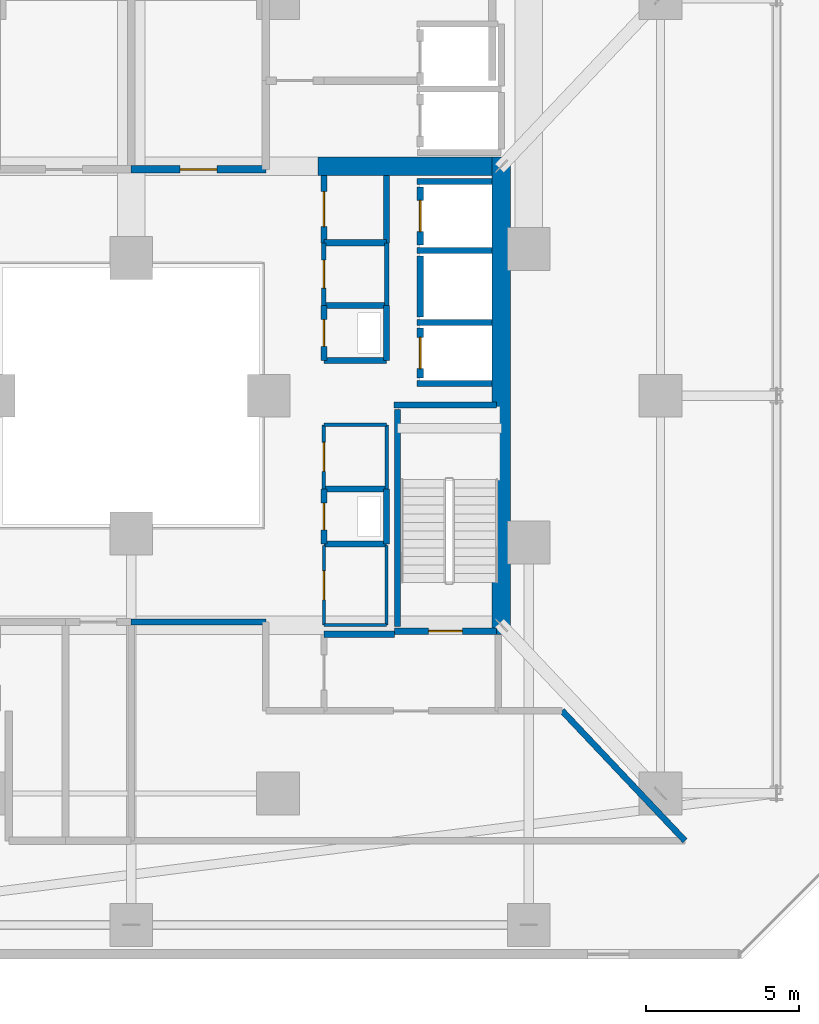
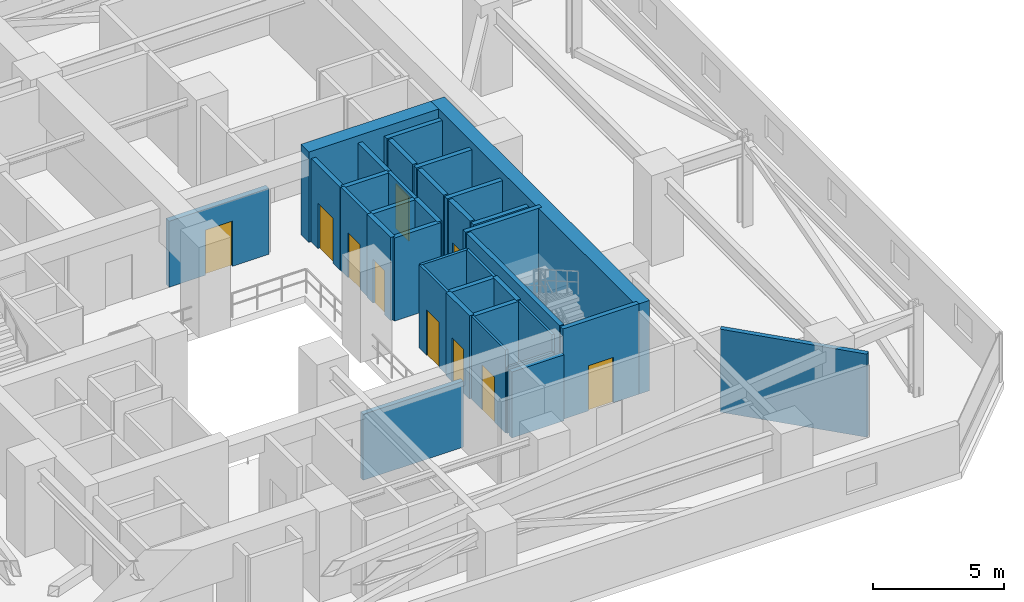
# One storey, part 34 of 38: 35 walls, 10 doors, 10 openings.
"""IFC4 building model written with IfcOpenShell, lengths in metres."""

from ifc_helpers import new_model, si_unit, direction, frame, frame_2d, origin, place, context, subcontext, project, spatial, rectangle, extrude, material, layer, layer_set, type_object, element, fill, save


model = new_model("IFC4")

# Units and contexts
model_context = context("Model", 3, precision=1e-05, world=origin(), true_north=direction((0.0, 1.0)))
body_context = subcontext(model_context, "Body", "Model", "MODEL_VIEW")
ifc_project = project(units=[si_unit("LENGTHUNIT", "METRE"), si_unit("AREAUNIT", "SQUARE_METRE"), si_unit("VOLUMEUNIT", "CUBIC_METRE"), si_unit("PLANEANGLEUNIT", "RADIAN"), si_unit("MASSUNIT", "GRAM", prefix="KILO")], contexts=[model_context])

# Site, building, storey
site_placement = place(None, origin())
site = spatial("IfcSite", under=ifc_project, at=site_placement, CompositionType="ELEMENT")
building_placement = place(site_placement, origin())
building = spatial("IfcBuilding", under=site, at=building_placement, Name="Thornwick Lancets Civic Towers", CompositionType="ELEMENT")
storey_placement = place(building_placement, frame((0.0, 0.0, 71.699951171875)))
storey = spatial("IfcBuildingStorey", under=building, at=storey_placement, Name="L18", CompositionType="ELEMENT", Elevation=71.699951171875)

# Wall, opening, door
ifc_material_1 = material(Name="Concrete blockwork C40/50", Category="masonry")
ifc_layer_1 = layer(ifc_material_1, 0.199951171875, Name="Concrete blockwork C40/50")
ifc_layer_set_1 = layer_set([ifc_layer_1], Name="Concrete blockwork C40/50")
wall_type_1 = type_object("IfcWallType", Name="WALL_COMP_200", PredefinedType="STANDARD", material=ifc_layer_set_1)
wall_1_placement = place(storey_placement, frame((97.949951171875, 29.219970703125, 0.0), z_axis=(0.0, 0.0, 1.0), x_axis=(0.0, -1.0, 0.0)))
wall_1 = element("IfcWall", 1, at=wall_1_placement, inside=storey, type_object=wall_type_1, Name="L18 Hoistway Front Wall FL-B1", PredefinedType="STANDARD", context=body_context, shape_type="SweptSolid", body=[
    extrude(rectangle(XDim=1.639892578125, YDim=0.199951171875, at=frame_2d((0.81982421875, 0.0))), origin(), (0.0, 0.0, 1.0), 3.860107421875),
])
opening_1_placement = place(wall_1_placement, frame((0.31005859375, 0.0, 0.0)))
opening_1 = element("IfcOpeningElement", 2, at=opening_1_placement, cuts=wall_1, Name="Opening LD-FL-B1", PredefinedType="OPENING", context=body_context, shape_type="SweptSolid", body=[
    extrude(rectangle(XDim=1.02001953125, YDim=2.06005859375, at=frame_2d((0.510009765625, 1.030029296875))), frame((0.0, 0.10986328125, 0.0), z_axis=(0.0, -1.0, 0.0), x_axis=(1.0, 0.0, 0.0)), (0.0, 0.0, 1.0), 0.219970703125),
])
ifc_material_2 = material(Name="Brushed bronze stainless steel", Category="steel")
door_type_1 = type_object("IfcDoorType", Name="DOOR_LIFT_SLIDE", OperationType="SLIDING_TO_LEFT", PredefinedType="DOOR", material=ifc_material_2)
door_1_placement = place(opening_1_placement, origin())
door_1 = element("IfcDoor", 3, at=door_1_placement, inside=storey, type_object=door_type_1, Name="L18 Sliding Lift Landing Door LD-FL-B1", OperationType="SLIDING_TO_LEFT", OverallHeight=2.06005859375, OverallWidth=1.02001953125, PredefinedType="DOOR", context=body_context, shape_type="SweptSolid", body=[
    extrude(rectangle(XDim=1.02001953125, YDim=2.06005859375, at=frame_2d((0.510009765625, 1.030029296875))), frame((0.0, 0.02490234375, 0.0), z_axis=(0.0, -1.0, 0.0), x_axis=(1.0, 0.0, 0.0)), (0.0, 0.0, 1.0), 0.050048828125),
])
fill(opening_1, door_1)

# Wall
wall_2_placement = place(storey_placement, frame((97.949951171875, 31.570068359375, 0.0), z_axis=(0.0, 0.0, 1.0), x_axis=(0.0, -1.0, 0.0)))
element("IfcWall", 4, at=wall_2_placement, inside=storey, type_object=wall_type_1, Name="L18 Hoistway Front Wall PL-BH1", PredefinedType="STANDARD", context=body_context, shape_type="SweptSolid", body=[
    extrude(rectangle(XDim=1.989990234375, YDim=0.199951171875, at=frame_2d((0.9951171875, 0.0))), origin(), (0.0, 0.0, 1.0), 3.860107421875),
])

# Wall, opening, door
wall_3_placement = place(storey_placement, frame((97.949951171875, 33.820068359375, 0.0), z_axis=(0.0, 0.0, 1.0), x_axis=(0.0, -1.0, 0.0)))
wall_3 = element("IfcWall", 5, at=wall_3_placement, inside=storey, type_object=wall_type_1, Name="L18 Hoistway Front Wall PL-BL1", PredefinedType="STANDARD", context=body_context, shape_type="SweptSolid", body=[
    extrude(rectangle(XDim=1.89013671875, YDim=0.199951171875, at=frame_2d((0.945068359375, 0.0))), origin(), (0.0, 0.0, 1.0), 3.860107421875),
])
opening_2_placement = place(wall_3_placement, frame((0.43505859375, 0.0, 0.0)))
opening_2 = element("IfcOpeningElement", 6, at=opening_2_placement, cuts=wall_3, Name="Opening LD-PL-BL1", PredefinedType="OPENING", context=body_context, shape_type="SweptSolid", body=[
    extrude(rectangle(XDim=1.02001953125, YDim=2.06005859375, at=frame_2d((0.510009765625, 1.030029296875))), frame((0.0, 0.10986328125, 0.0), z_axis=(0.0, -1.0, 0.0), x_axis=(1.0, 0.0, 0.0)), (0.0, 0.0, 1.0), 0.219970703125),
])
door_2_placement = place(opening_2_placement, origin())
door_2 = element("IfcDoor", 7, at=door_2_placement, inside=storey, type_object=door_type_1, Name="L18 Sliding Lift Landing Door LD-PL-BL1", OperationType="SLIDING_TO_LEFT", OverallHeight=2.06005859375, OverallWidth=1.02001953125, PredefinedType="DOOR", context=body_context, shape_type="SweptSolid", body=[
    extrude(rectangle(XDim=1.02001953125, YDim=2.06005859375, at=frame_2d((0.510009765625, 1.030029296875))), frame((0.0, 0.02490234375, 0.0), z_axis=(0.0, -1.0, 0.0), x_axis=(1.0, 0.0, 0.0)), (0.0, 0.0, 1.0), 0.050048828125),
])
fill(opening_2, door_2)

# Walls
for number, where, z_axis, x_axis, name in (
    (8, (97.85205078125, 29.39990234375, 0.0), (0.0, 0.0, 1.0), (1.0, 0.0, 0.0), "L18 Hoistway Shaft Wall FL-B1 N"),
    (9, (97.85205078125, 27.39990234375, 0.0), (0.0, 0.0, 1.0), (1.0, 0.0, 0.0), "L18 Hoistway Shaft Wall FL-B1 S"),
    (10, (97.85205078125, 31.75, 0.0), (0.0, 0.0, 1.0), (1.0, 0.0, 0.0), "L18 Hoistway Shaft Wall PL-BH1 N"),
    (11, (97.85205078125, 34.0, 0.0), (0.0, 0.0, 1.0), (1.0, 0.0, 0.0), "L18 Hoistway Shaft Wall PL-BL1 N"),
):
    element("IfcWall", number, at=place(storey_placement, frame(where, z_axis=z_axis, x_axis=x_axis)), inside=storey, type_object=wall_type_1, Name=name, PredefinedType="STANDARD", context=body_context, shape_type="SweptSolid", body=[
        extrude(rectangle(XDim=2.43603515625, YDim=0.199951171875, at=frame_2d((1.218017578125, 0.0))), origin(), (0.0, 0.0, 1.0), 3.860107421875),
    ])
wall_4_placement = place(storey_placement, frame((97.10009765625, 19.199951171875, 0.0), z_axis=(0.0, 0.0, 1.0), x_axis=(-1.0, 0.0, 0.0)))
element("IfcWall", 12, at=wall_4_placement, inside=storey, type_object=wall_type_1, Name="L18 Partition L18-B-FFLOB1 E3", PredefinedType="STANDARD", context=body_context, shape_type="SweptSolid", body=[
    extrude(rectangle(XDim=2.300048828125, YDim=0.199951171875, at=frame_2d((1.14990234375, 0.0))), origin(), (0.0, 0.0, 1.0), 3.06494140625),
])
wall_5_placement = place(storey_placement, frame((94.800048828125, 28.14990234375, 0.0), z_axis=(0.0, 0.0, 1.0), x_axis=(1.0, 0.0, 0.0)))
element("IfcWall", 13, at=wall_5_placement, inside=storey, type_object=wall_type_1, Name="L18 Partition L18-B-DUCT1 E1", PredefinedType="STANDARD", context=body_context, shape_type="SweptSolid", body=[
    extrude(rectangle(XDim=2.050048828125, YDim=0.199951171875, at=frame_2d((1.02490234375, 0.0))), origin(), (0.0, 0.0, 1.0), 3.860107421875),
])
wall_6_placement = place(storey_placement, frame((96.85009765625, 28.14990234375, 0.0), z_axis=(0.0, 0.0, 1.0), x_axis=(0.0, 1.0, 0.0)))
element("IfcWall", 14, at=wall_6_placement, inside=storey, type_object=wall_type_1, Name="L18 Partition L18-B-DUCT1 E2", PredefinedType="STANDARD", context=body_context, shape_type="SweptSolid", body=[
    extrude(rectangle(XDim=1.800048828125, YDim=0.199951171875, at=frame_2d((0.89990234375, 0.0))), origin(), (0.0, 0.0, 1.0), 3.860107421875),
])
wall_7_placement = place(storey_placement, frame((96.85009765625, 29.949951171875, 0.0), z_axis=(0.0, 0.0, 1.0), x_axis=(-1.0, 0.0, 0.0)))
element("IfcWall", 15, at=wall_7_placement, inside=storey, type_object=wall_type_1, Name="L18 Partition L18-B-DUCT1 E3", PredefinedType="STANDARD", context=body_context, shape_type="SweptSolid", body=[
    extrude(rectangle(XDim=2.050048828125, YDim=0.199951171875, at=frame_2d((1.02490234375, 0.0))), origin(), (0.0, 0.0, 1.0), 3.860107421875),
])

# Wall, opening, door
wall_8_placement = place(storey_placement, frame((94.800048828125, 29.949951171875, 0.0), z_axis=(0.0, 0.0, 1.0), x_axis=(0.0, -1.0, 0.0)))
wall_8 = element("IfcWall", 16, at=wall_8_placement, inside=storey, type_object=wall_type_1, Name="L18 Partition L18-B-DUCT1 E4", PredefinedType="STANDARD", context=body_context, shape_type="SweptSolid", body=[
    extrude(rectangle(XDim=1.800048828125, YDim=0.199951171875, at=frame_2d((0.89990234375, 0.0))), origin(), (0.0, 0.0, 1.0), 3.860107421875),
])
opening_3_placement = place(wall_8_placement, frame((0.4599609375, 0.0, 0.0)))
opening_3 = element("IfcOpeningElement", 17, at=opening_3_placement, cuts=wall_8, Name="Opening D-L18-0863", PredefinedType="OPENING", context=body_context, shape_type="SweptSolid", body=[
    extrude(rectangle(XDim=0.8798828125, YDim=2.0400390625, at=frame_2d((0.43994140625, 1.02001953125))), frame((0.0, 0.10986328125, 0.0), z_axis=(0.0, -1.0, 0.0), x_axis=(1.0, 0.0, 0.0)), (0.0, 0.0, 1.0), 0.219970703125),
])
ifc_material_3 = material(Name="Steel riser access doorset", Category="steel")
door_type_2 = type_object("IfcDoorType", Name="DOOR_RISER_850", OperationType="NOTDEFINED", PredefinedType="DOOR", material=ifc_material_3)
door_3_placement = place(opening_3_placement, origin())
door_3 = element("IfcDoor", 18, at=door_3_placement, inside=storey, type_object=door_type_2, Name="L18 East Service Duct 1 Door", OperationType="SINGLE_SWING_RIGHT", OverallHeight=2.0400390625, OverallWidth=0.8798828125, PredefinedType="DOOR", context=body_context, shape_type="SweptSolid", body=[
    extrude(rectangle(XDim=0.8798828125, YDim=2.0400390625, at=frame_2d((0.43994140625, 1.02001953125))), frame((0.0, 0.02490234375, 0.0), z_axis=(0.0, -1.0, 0.0), x_axis=(1.0, 0.0, 0.0)), (0.0, 0.0, 1.0), 0.050048828125),
])
fill(opening_3, door_3)

# Walls
wall_9_placement = place(storey_placement, frame((94.800048828125, 22.14990234375, 0.0), z_axis=(0.0, 0.0, 1.0), x_axis=(1.0, 0.0, 0.0)))
element("IfcWall", 19, at=wall_9_placement, inside=storey, type_object=wall_type_1, Name="L18 Partition L18-B-RISER1 E1", PredefinedType="STANDARD", context=body_context, shape_type="SweptSolid", body=[
    extrude(rectangle(XDim=2.050048828125, YDim=0.199951171875, at=frame_2d((1.02490234375, 0.0))), origin(), (0.0, 0.0, 1.0), 3.860107421875),
])
wall_10_placement = place(storey_placement, frame((96.85009765625, 22.14990234375, 0.0), z_axis=(0.0, 0.0, 1.0), x_axis=(0.0, 1.0, 0.0)))
element("IfcWall", 20, at=wall_10_placement, inside=storey, type_object=wall_type_1, Name="L18 Partition L18-B-RISER1 E2", PredefinedType="STANDARD", context=body_context, shape_type="SweptSolid", body=[
    extrude(rectangle(XDim=1.800048828125, YDim=0.199951171875, at=frame_2d((0.89990234375, 0.0))), origin(), (0.0, 0.0, 1.0), 3.860107421875),
])
wall_11_placement = place(storey_placement, frame((96.85009765625, 23.949951171875, 0.0), z_axis=(0.0, 0.0, 1.0), x_axis=(-1.0, 0.0, 0.0)))
element("IfcWall", 21, at=wall_11_placement, inside=storey, type_object=wall_type_1, Name="L18 Partition L18-B-RISER1 E3", PredefinedType="STANDARD", context=body_context, shape_type="SweptSolid", body=[
    extrude(rectangle(XDim=2.050048828125, YDim=0.199951171875, at=frame_2d((1.02490234375, 0.0))), origin(), (0.0, 0.0, 1.0), 3.860107421875),
])

# Wall, opening, door
wall_12_placement = place(storey_placement, frame((94.800048828125, 23.949951171875, 0.0), z_axis=(0.0, 0.0, 1.0), x_axis=(0.0, -1.0, 0.0)))
wall_12 = element("IfcWall", 22, at=wall_12_placement, inside=storey, type_object=wall_type_1, Name="L18 Partition L18-B-RISER1 E4", PredefinedType="STANDARD", context=body_context, shape_type="SweptSolid", body=[
    extrude(rectangle(XDim=1.800048828125, YDim=0.199951171875, at=frame_2d((0.89990234375, 0.0))), origin(), (0.0, 0.0, 1.0), 3.860107421875),
])
opening_4_placement = place(wall_12_placement, frame((0.4599609375, 0.0, 0.0)))
opening_4 = element("IfcOpeningElement", 23, at=opening_4_placement, cuts=wall_12, Name="Opening D-L18-0864", PredefinedType="OPENING", context=body_context, shape_type="SweptSolid", body=[
    extrude(rectangle(XDim=0.8798828125, YDim=2.0400390625, at=frame_2d((0.43994140625, 1.02001953125))), frame((0.0, 0.10986328125, 0.0), z_axis=(0.0, -1.0, 0.0), x_axis=(1.0, 0.0, 0.0)), (0.0, 0.0, 1.0), 0.219970703125),
])
door_4_placement = place(opening_4_placement, origin())
door_4 = element("IfcDoor", 24, at=door_4_placement, inside=storey, type_object=door_type_2, Name="L18 East Electrical Riser 1 Door", OperationType="SINGLE_SWING_LEFT", OverallHeight=2.0400390625, OverallWidth=0.8798828125, PredefinedType="DOOR", context=body_context, shape_type="SweptSolid", body=[
    extrude(rectangle(XDim=0.8798828125, YDim=2.0400390625, at=frame_2d((0.43994140625, 1.02001953125))), frame((0.0, 0.02490234375, 0.0), z_axis=(0.0, -1.0, 0.0), x_axis=(1.0, 0.0, 0.0)), (0.0, 0.0, 1.0), 0.050048828125),
])
fill(opening_4, door_4)

wall_13_placement = place(storey_placement, frame((94.800048828125, 32.0, 0.0), z_axis=(0.0, 0.0, 1.0), x_axis=(0.0, 1.0, 0.0)))
wall_13 = element("IfcWall", 25, at=wall_13_placement, inside=storey, type_object=wall_type_1, Name="L18 Partition L18-B-STR2 E1", PredefinedType="STANDARD", context=body_context, shape_type="SweptSolid", body=[
    extrude(rectangle(XDim=2.199951171875, YDim=0.199951171875, at=frame_2d((1.10009765625, 0.0))), origin(), (0.0, 0.0, 1.0), 3.860107421875),
])
opening_5_placement = place(wall_13_placement, frame((0.52490234375, 0.0, 0.0)))
opening_5 = element("IfcOpeningElement", 26, at=opening_5_placement, cuts=wall_13, Name="Opening D-L18-0870", PredefinedType="OPENING", context=body_context, shape_type="SweptSolid", body=[
    extrude(rectangle(XDim=1.14990234375, YDim=2.10009765625, at=frame_2d((0.574951171875, 1.050048828125))), frame((0.0, 0.10986328125, 0.0), z_axis=(0.0, -1.0, 0.0), x_axis=(1.0, 0.0, 0.0)), (0.0, 0.0, 1.0), 0.219970703125),
])
ifc_material_4 = material(Name="Glazed fire-resisting steel", Category="steel")
door_type_3 = type_object("IfcDoorType", Name="DOOR_LOBBY_FD60", OperationType="NOTDEFINED", PredefinedType="DOOR", material=ifc_material_4)
door_5_placement = place(opening_5_placement, origin())
door_5 = element("IfcDoor", 27, at=door_5_placement, inside=storey, type_object=door_type_3, Name="L18 Tower B Core Supplies Store Door", OperationType="SINGLE_SWING_LEFT", OverallHeight=2.10009765625, OverallWidth=1.14990234375, PredefinedType="DOOR", context=body_context, shape_type="SweptSolid", body=[
    extrude(rectangle(XDim=1.14990234375, YDim=2.10009765625, at=frame_2d((0.574951171875, 1.050048828125))), frame((0.0, 0.02490234375, 0.0), z_axis=(0.0, -1.0, 0.0), x_axis=(1.0, 0.0, 0.0)), (0.0, 0.0, 1.0), 0.050048828125),
])
fill(opening_5, door_5)

# Walls
wall_14_placement = place(storey_placement, frame((96.85009765625, 34.199951171875, 0.0), z_axis=(0.0, 0.0, 1.0), x_axis=(0.0, -1.0, 0.0)))
element("IfcWall", 28, at=wall_14_placement, inside=storey, type_object=wall_type_1, Name="L18 Partition L18-B-STR2 E3", PredefinedType="STANDARD", context=body_context, shape_type="SweptSolid", body=[
    extrude(rectangle(XDim=2.199951171875, YDim=0.199951171875, at=frame_2d((1.10009765625, 0.0))), origin(), (0.0, 0.0, 1.0), 3.860107421875),
])
wall_15_placement = place(storey_placement, frame((96.85009765625, 32.0, 0.0), z_axis=(0.0, 0.0, 1.0), x_axis=(-1.0, 0.0, 0.0)))
element("IfcWall", 29, at=wall_15_placement, inside=storey, type_object=wall_type_1, Name="L18 Partition L18-B-STR2 E4", PredefinedType="STANDARD", context=body_context, shape_type="SweptSolid", body=[
    extrude(rectangle(XDim=2.050048828125, YDim=0.199951171875, at=frame_2d((1.02490234375, 0.0))), origin(), (0.0, 0.0, 1.0), 3.860107421875),
])
wall_16_placement = place(storey_placement, frame((102.586669921875, 16.699951171875, 0.0), z_axis=(0.0, 0.0, 1.0), x_axis=(0.687023003482, -0.726635667089, 0.0)))
element("IfcWall", 30, at=wall_16_placement, inside=storey, type_object=wall_type_1, Name="L18 Partition L18-B-REF1 E5", PredefinedType="STANDARD", context=body_context, shape_type="SweptSolid", body=[
    extrude(rectangle(XDim=5.848876953125, YDim=0.199951171875, at=frame_2d((2.92431640625, 0.0))), origin(), (0.0, 0.0, 1.0), 3.860107421875),
])
wall_17_placement = place(storey_placement, frame((88.5, 19.60009765625, 0.0), z_axis=(0.0, 0.0, 1.0), x_axis=(1.0, 0.0, 0.0)))
element("IfcWall", 31, at=wall_17_placement, inside=storey, type_object=wall_type_1, Name="L18 Partition L18-B-REF1 E8", PredefinedType="STANDARD", context=body_context, shape_type="SweptSolid", body=[
    extrude(rectangle(XDim=4.39990234375, YDim=0.199951171875, at=frame_2d((2.199951171875, 0.0))), origin(), (0.0, 0.0, 1.0), 3.06494140625),
])

# Wall, opening, door
ifc_layer_2 = layer(ifc_material_1, 0.239990234375, Name="Concrete blockwork C40/50")
ifc_layer_set_2 = layer_set([ifc_layer_2], Name="Concrete blockwork C40/50")
wall_type_2 = type_object("IfcWallType", Name="WALL_COMP_240", PredefinedType="STANDARD", material=ifc_layer_set_2)
wall_18_placement = place(storey_placement, frame((92.89990234375, 34.39990234375, 0.0), z_axis=(0.0, 0.0, 1.0), x_axis=(-1.0, 0.0, 0.0)))
wall_18 = element("IfcWall", 32, at=wall_18_placement, inside=storey, type_object=wall_type_2, Name="L18 Partition L18-B-PL-SMK E4", PredefinedType="STANDARD", context=body_context, shape_type="SweptSolid", body=[
    extrude(rectangle(XDim=4.39990234375, YDim=0.239990234375, at=frame_2d((2.199951171875, 0.0))), origin(), (0.0, 0.0, 1.0), 3.06494140625),
])
opening_6_placement = place(wall_18_placement, frame((1.60009765625, 0.0, 0.0)))
opening_6 = element("IfcOpeningElement", 33, at=opening_6_placement, cuts=wall_18, Name="Opening D-L18-0880", PredefinedType="OPENING", context=body_context, shape_type="SweptSolid", body=[
    extrude(rectangle(XDim=1.199951171875, YDim=2.10009765625, at=frame_2d((0.60009765625, 1.050048828125))), frame((0.0, 0.1298828125, 0.0), z_axis=(0.0, -1.0, 0.0), x_axis=(1.0, 0.0, 0.0)), (0.0, 0.0, 1.0), 0.260009765625),
])
ifc_material_5 = material(Name="Steel plant room doorset", Category="steel")
door_type_4 = type_object("IfcDoorType", Name="DOOR_PLANT_1200", OperationType="NOTDEFINED", PredefinedType="DOOR", material=ifc_material_5)
door_6_placement = place(opening_6_placement, origin())
door_6 = element("IfcDoor", 34, at=door_6_placement, inside=storey, type_object=door_type_4, Name="L18 Tower B Smoke Extract Fan Plant Room Door", OperationType="SINGLE_SWING_LEFT", OverallHeight=2.10009765625, OverallWidth=1.199951171875, PredefinedType="DOOR", context=body_context, shape_type="SweptSolid", body=[
    extrude(rectangle(XDim=1.199951171875, YDim=2.10009765625, at=frame_2d((0.60009765625, 1.050048828125))), frame((0.0, 0.02490234375, 0.0), z_axis=(0.0, -1.0, 0.0), x_axis=(1.0, 0.0, 0.0)), (0.0, 0.0, 1.0), 0.050048828125),
])
fill(opening_6, door_6)

# Walls
ifc_material_6 = material(Name="Concrete C60/75", Category="concrete")
ifc_layer_3 = layer(ifc_material_6, 0.60009765625, Name="Concrete C60/75")
ifc_layer_set_3 = layer_set([ifc_layer_3], Name="Concrete C60/75")
wall_type_3 = type_object("IfcWallType", Name="WALL_CORE_600", PredefinedType="SHEAR", material=ifc_layer_set_3)
wall_19_placement = place(storey_placement, frame((100.60009765625, 19.199951171875, 0.0), z_axis=(0.0, 0.0, 1.0), x_axis=(0.0, 1.0, 0.0)))
element("IfcWall", 35, at=wall_19_placement, inside=storey, type_object=wall_type_3, Name="L18 Split Core B1 Shear Wall E", PredefinedType="SHEAR", context=body_context, shape_type="SweptSolid", body=[
    extrude(rectangle(XDim=15.60009765625, YDim=0.60009765625, at=frame_2d((7.800048828125, 0.0))), origin(), (0.0, 0.0, 1.0), 4.199951171875),
])
wall_20_placement = place(storey_placement, frame((94.60009765625, 34.5, 0.0), z_axis=(0.0, 0.0, 1.0), x_axis=(1.0, 0.0, 0.0)))
element("IfcWall", 36, at=wall_20_placement, inside=storey, type_object=wall_type_3, Name="L18 Split Core B1 Shear Wall N", PredefinedType="SHEAR", context=body_context, shape_type="SweptSolid", body=[
    extrude(rectangle(XDim=5.699951171875, YDim=0.60009765625, at=frame_2d((2.85009765625, 0.0))), origin(), (0.0, 0.0, 1.0), 4.199951171875),
])
ifc_material_7 = material(Name="Lightweight cellular office partition")
ifc_layer_4 = layer(ifc_material_7, 0.10009765625, Name="Lightweight cellular office partition")
ifc_layer_set_4 = layer_set([ifc_layer_4], Name="Lightweight cellular office partition")
wall_type_4 = type_object("IfcWallType", Name="WALL_PART_100", PredefinedType="PARTITIONING", material=ifc_layer_set_4)
wall_21_placement = place(storey_placement, frame((94.800048828125, 19.5, 0.0), z_axis=(0.0, 0.0, 1.0), x_axis=(1.0, 0.0, 0.0)))
element("IfcWall", 37, at=wall_21_placement, inside=storey, type_object=wall_type_4, Name="L18 Partition L18-B-CLN E1", PredefinedType="PARTITIONING", context=body_context, shape_type="SweptSolid", body=[
    extrude(rectangle(XDim=2.050048828125, YDim=0.10009765625, at=frame_2d((1.02490234375, 0.0))), origin(), (0.0, 0.0, 1.0), 3.06494140625),
])
wall_22_placement = place(storey_placement, frame((96.85009765625, 19.5, 0.0), z_axis=(0.0, 0.0, 1.0), x_axis=(0.0, 1.0, 0.0)))
element("IfcWall", 38, at=wall_22_placement, inside=storey, type_object=wall_type_4, Name="L18 Partition L18-B-CLN E2", PredefinedType="PARTITIONING", context=body_context, shape_type="SweptSolid", body=[
    extrude(rectangle(XDim=2.60009765625, YDim=0.10009765625, at=frame_2d((1.300048828125, 0.0))), origin(), (0.0, 0.0, 1.0), 3.860107421875),
])

# Wall, opening, door
wall_23_placement = place(storey_placement, frame((94.800048828125, 22.10009765625, 0.0), z_axis=(0.0, 0.0, 1.0), x_axis=(0.0, -1.0, 0.0)))
wall_23 = element("IfcWall", 39, at=wall_23_placement, inside=storey, type_object=wall_type_4, Name="L18 Partition L18-B-CLN E4", PredefinedType="PARTITIONING", context=body_context, shape_type="SweptSolid", body=[
    extrude(rectangle(XDim=2.60009765625, YDim=0.10009765625, at=frame_2d((1.300048828125, 0.0))), origin(), (0.0, 0.0, 1.0), 3.860107421875),
])
opening_7_placement = place(wall_23_placement, frame((0.824951171875, 0.0, 0.0)))
opening_7 = element("IfcOpeningElement", 40, at=opening_7_placement, cuts=wall_23, Name="Opening D-L18-0867", PredefinedType="OPENING", context=body_context, shape_type="SweptSolid", body=[
    extrude(rectangle(XDim=0.949951171875, YDim=2.10009765625, at=frame_2d((0.47509765625, 1.050048828125))), frame((0.0, 0.06005859375, 0.0), z_axis=(0.0, -1.0, 0.0), x_axis=(1.0, 0.0, 0.0)), (0.0, 0.0, 1.0), 0.1201171875),
])
ifc_material_8 = material(Name="European oak acoustic doorset")
door_type_5 = type_object("IfcDoorType", Name="DOOR_OFFICE_950", OperationType="NOTDEFINED", PredefinedType="DOOR", material=ifc_material_8)
door_7_placement = place(opening_7_placement, origin())
door_7 = element("IfcDoor", 41, at=door_7_placement, inside=storey, type_object=door_type_5, Name="L18 Tower B Cleaners Store Door", OperationType="SINGLE_SWING_RIGHT", OverallHeight=2.10009765625, OverallWidth=0.949951171875, PredefinedType="DOOR", context=body_context, shape_type="SweptSolid", body=[
    extrude(rectangle(XDim=0.949951171875, YDim=2.10009765625, at=frame_2d((0.47509765625, 1.050048828125))), frame((0.0, 0.02490234375, 0.0), z_axis=(0.0, -1.0, 0.0), x_axis=(1.0, 0.0, 0.0)), (0.0, 0.0, 1.0), 0.050048828125),
])
fill(opening_7, door_7)

ifc_material_9 = material(Name="Acoustic gypsum board partition")
ifc_layer_5 = layer(ifc_material_9, 0.1201171875, Name="Acoustic gypsum board partition")
ifc_layer_set_5 = layer_set([ifc_layer_5], Name="Acoustic gypsum board partition")
wall_type_5 = type_object("IfcWallType", Name="WALL_PART_120", PredefinedType="PARTITIONING", material=ifc_layer_set_5)
wall_24_placement = place(storey_placement, frame((94.800048828125, 23.949951171875, 0.0), z_axis=(0.0, 0.0, 1.0), x_axis=(0.0, 1.0, 0.0)))
wall_24 = element("IfcWall", 42, at=wall_24_placement, inside=storey, type_object=wall_type_5, Name="L18 Partition L18-B-ITR E1", PredefinedType="PARTITIONING", context=body_context, shape_type="SweptSolid", body=[
    extrude(rectangle(XDim=2.10009765625, YDim=0.1201171875, at=frame_2d((1.050048828125, 0.0))), origin(), (0.0, 0.0, 1.0), 3.860107421875),
])
opening_8_placement = place(wall_24_placement, frame((0.574951171875, 0.0, 0.0)))
opening_8 = element("IfcOpeningElement", 43, at=opening_8_placement, cuts=wall_24, Name="Opening D-L18-0868", PredefinedType="OPENING", context=body_context, shape_type="SweptSolid", body=[
    extrude(rectangle(XDim=0.949951171875, YDim=2.10009765625, at=frame_2d((0.47509765625, 1.050048828125))), frame((0.0, 0.070068359375, 0.0), z_axis=(0.0, -1.0, 0.0), x_axis=(1.0, 0.0, 0.0)), (0.0, 0.0, 1.0), 0.14013671875),
])
door_8_placement = place(opening_8_placement, origin())
door_8 = element("IfcDoor", 44, at=door_8_placement, inside=storey, type_object=door_type_5, Name="L18 Tower B Comms Patch Room Door", OperationType="SINGLE_SWING_LEFT", OverallHeight=2.10009765625, OverallWidth=0.949951171875, PredefinedType="DOOR", context=body_context, shape_type="SweptSolid", body=[
    extrude(rectangle(XDim=0.949951171875, YDim=2.10009765625, at=frame_2d((0.47509765625, 1.050048828125))), frame((0.0, 0.02490234375, 0.0), z_axis=(0.0, -1.0, 0.0), x_axis=(1.0, 0.0, 0.0)), (0.0, 0.0, 1.0), 0.050048828125),
])
fill(opening_8, door_8)

# Walls
wall_25_placement = place(storey_placement, frame((94.800048828125, 26.050048828125, 0.0), z_axis=(0.0, 0.0, 1.0), x_axis=(1.0, 0.0, 0.0)))
element("IfcWall", 45, at=wall_25_placement, inside=storey, type_object=wall_type_5, Name="L18 Partition L18-B-ITR E2", PredefinedType="PARTITIONING", context=body_context, shape_type="SweptSolid", body=[
    extrude(rectangle(XDim=2.050048828125, YDim=0.1201171875, at=frame_2d((1.02490234375, 0.0))), origin(), (0.0, 0.0, 1.0), 3.860107421875),
])
wall_26_placement = place(storey_placement, frame((96.85009765625, 26.050048828125, 0.0), z_axis=(0.0, 0.0, 1.0), x_axis=(0.0, -1.0, 0.0)))
element("IfcWall", 46, at=wall_26_placement, inside=storey, type_object=wall_type_5, Name="L18 Partition L18-B-ITR E3", PredefinedType="PARTITIONING", context=body_context, shape_type="SweptSolid", body=[
    extrude(rectangle(XDim=2.10009765625, YDim=0.1201171875, at=frame_2d((1.050048828125, 0.0))), origin(), (0.0, 0.0, 1.0), 3.860107421875),
])

# Wall, opening, door
ifc_material_10 = material(Name="Twin-stud acoustic gypsum board")
ifc_layer_6 = layer(ifc_material_10, 0.14990234375, Name="Twin-stud acoustic gypsum board")
ifc_layer_set_6 = layer_set([ifc_layer_6], Name="Twin-stud acoustic gypsum board")
wall_type_6 = type_object("IfcWallType", Name="WALL_PART_150", PredefinedType="PARTITIONING", material=ifc_layer_set_6)
wall_27_placement = place(storey_placement, frame((94.800048828125, 29.949951171875, 0.0), z_axis=(0.0, 0.0, 1.0), x_axis=(0.0, 1.0, 0.0)))
wall_27 = element("IfcWall", 47, at=wall_27_placement, inside=storey, type_object=wall_type_6, Name="L18 Partition L18-B-AWC E1", PredefinedType="PARTITIONING", context=body_context, shape_type="SweptSolid", body=[
    extrude(rectangle(XDim=2.050048828125, YDim=0.14990234375, at=frame_2d((1.02490234375, 0.0))), origin(), (0.0, 0.0, 1.0), 3.860107421875),
])
opening_9_placement = place(wall_27_placement, frame((0.56494140625, 0.0, 0.0)))
opening_9 = element("IfcOpeningElement", 48, at=opening_9_placement, cuts=wall_27, Name="Opening D-L18-0869", PredefinedType="OPENING", context=body_context, shape_type="SweptSolid", body=[
    extrude(rectangle(XDim=0.919921875, YDim=2.080078125, at=frame_2d((0.4599609375, 1.0400390625))), frame((0.0, 0.0849609375, 0.0), z_axis=(0.0, -1.0, 0.0), x_axis=(1.0, 0.0, 0.0)), (0.0, 0.0, 1.0), 0.169921875),
])
ifc_material_11 = material(Name="Moisture-resistant oak doorset")
door_type_6 = type_object("IfcDoorType", Name="DOOR_WC_900", OperationType="NOTDEFINED", PredefinedType="DOOR", material=ifc_material_11)
door_9_placement = place(opening_9_placement, origin())
door_9 = element("IfcDoor", 49, at=door_9_placement, inside=storey, type_object=door_type_6, Name="L18 Tower B Accessible WC Door", OperationType="SINGLE_SWING_RIGHT", OverallHeight=2.080078125, OverallWidth=0.919921875, PredefinedType="DOOR", context=body_context, shape_type="SweptSolid", body=[
    extrude(rectangle(XDim=0.919921875, YDim=2.080078125, at=frame_2d((0.4599609375, 1.0400390625))), frame((0.0, 0.02490234375, 0.0), z_axis=(0.0, -1.0, 0.0), x_axis=(1.0, 0.0, 0.0)), (0.0, 0.0, 1.0), 0.050048828125),
])
fill(opening_9, door_9)

# Wall
wall_28_placement = place(storey_placement, frame((96.85009765625, 32.0, 0.0), z_axis=(0.0, 0.0, 1.0), x_axis=(0.0, -1.0, 0.0)))
element("IfcWall", 50, at=wall_28_placement, inside=storey, type_object=wall_type_6, Name="L18 Partition L18-B-AWC E3", PredefinedType="PARTITIONING", context=body_context, shape_type="SweptSolid", body=[
    extrude(rectangle(XDim=2.050048828125, YDim=0.14990234375, at=frame_2d((1.02490234375, 0.0))), origin(), (0.0, 0.0, 1.0), 3.860107421875),
])

# Wall, opening, door
ifc_material_12 = material(Name="Concrete C40/50", Category="concrete")
ifc_layer_7 = layer(ifc_material_12, 0.199951171875, Name="Concrete C40/50")
ifc_layer_set_7 = layer_set([ifc_layer_7], Name="Concrete C40/50")
wall_type_7 = type_object("IfcWallType", Name="WALL_SHAFT_200", PredefinedType="SHEAR", material=ifc_layer_set_7)
wall_29_placement = place(storey_placement, frame((100.449951171875, 19.300048828125, 0.0), z_axis=(0.0, 0.0, 1.0), x_axis=(-1.0, 0.0, 0.0)))
wall_29 = element("IfcWall", 51, at=wall_29_placement, inside=storey, type_object=wall_type_7, Name="L18 ST-B1 Fire Stair Core Wall NEAR", PredefinedType="SHEAR", context=body_context, shape_type="SweptSolid", body=[
    extrude(rectangle(XDim=3.349853515625, YDim=0.199951171875, at=frame_2d((1.6748046875, 0.0))), origin(), (0.0, 0.0, 1.0), 4.199951171875),
])
opening_10_placement = place(wall_29_placement, frame((1.125, 0.0, 0.0)))
opening_10 = element("IfcOpeningElement", 52, at=opening_10_placement, cuts=wall_29, Name="Opening D-ST-B1-L18", PredefinedType="OPENING", context=body_context, shape_type="SweptSolid", body=[
    extrude(rectangle(XDim=1.10009765625, YDim=2.10009765625, at=frame_2d((0.550048828125, 1.050048828125))), frame((0.0, 0.10986328125, 0.0), z_axis=(0.0, -1.0, 0.0), x_axis=(1.0, 0.0, 0.0)), (0.0, 0.0, 1.0), 0.219970703125),
])
ifc_material_13 = material(Name="Fire-resisting steel and hardwood", Category="steel")
door_type_7 = type_object("IfcDoorType", Name="DOOR_STAIR_FD60", OperationType="NOTDEFINED", PredefinedType="DOOR", material=ifc_material_13)
door_10_placement = place(opening_10_placement, origin())
door_10 = element("IfcDoor", 53, at=door_10_placement, inside=storey, type_object=door_type_7, Name="L18 ST-B1 Exit Stair Door", OperationType="SINGLE_SWING_RIGHT", OverallHeight=2.10009765625, OverallWidth=1.10009765625, PredefinedType="DOOR", context=body_context, shape_type="SweptSolid", body=[
    extrude(rectangle(XDim=1.10009765625, YDim=2.10009765625, at=frame_2d((0.550048828125, 1.050048828125))), frame((0.0, 0.02490234375, 0.0), z_axis=(0.0, -1.0, 0.0), x_axis=(1.0, 0.0, 0.0)), (0.0, 0.0, 1.0), 0.050048828125),
])
fill(opening_10, door_10)

# Walls
wall_30_placement = place(storey_placement, frame((97.10009765625, 26.699951171875, 0.0), z_axis=(0.0, 0.0, 1.0), x_axis=(1.0, 0.0, 0.0)))
element("IfcWall", 54, at=wall_30_placement, inside=storey, type_object=wall_type_7, Name="L18 ST-B1 Fire Stair Core Wall FAR", PredefinedType="SHEAR", context=body_context, shape_type="SweptSolid", body=[
    extrude(rectangle(XDim=3.349853515625, YDim=0.199951171875, at=frame_2d((1.6748046875, 0.0))), origin(), (0.0, 0.0, 1.0), 4.199951171875),
])
wall_31_placement = place(storey_placement, frame((97.202880859375, 26.550048828125, 0.0), z_axis=(0.0, 0.0, 1.0), x_axis=(0.0, -1.0, 0.0)))
element("IfcWall", 55, at=wall_31_placement, inside=storey, type_object=wall_type_7, Name="L18 ST-B1 Fire Stair Core Wall RIGHT", PredefinedType="SHEAR", context=body_context, shape_type="SweptSolid", body=[
    extrude(rectangle(XDim=7.10009765625, YDim=0.199951171875, at=frame_2d((3.550048828125, 0.0))), origin(), (0.0, 0.0, 1.0), 4.199951171875),
])

save(model, "model.ifc")
